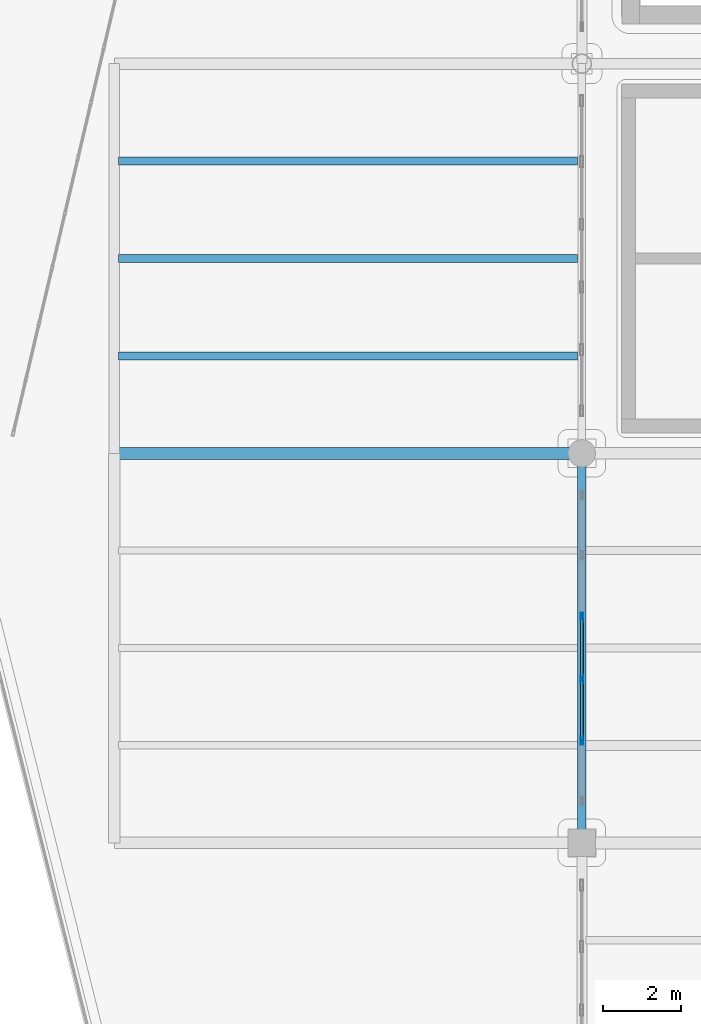
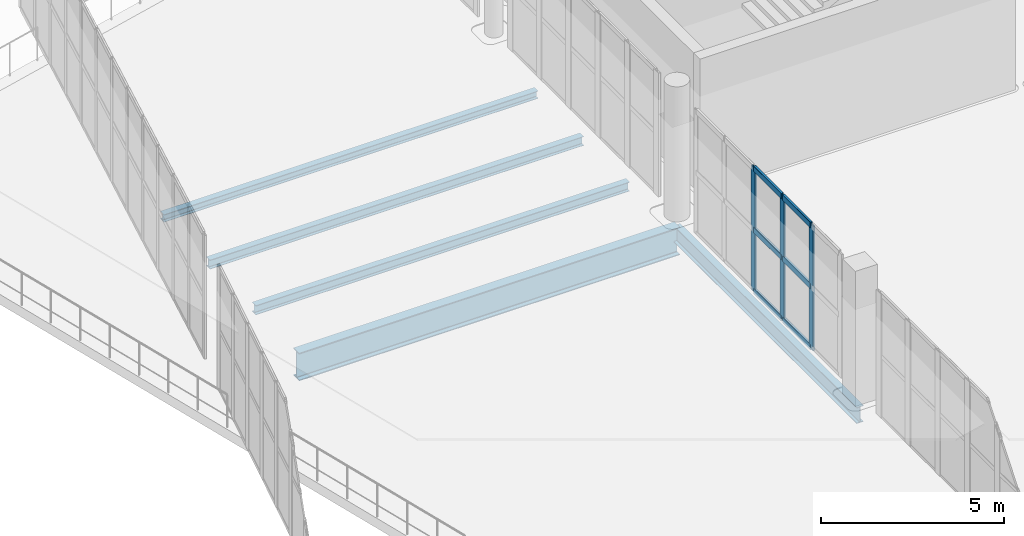
# One storey, part 36 of 108: 9 members, 5 beams, 1 element without a shape of its own.
"""IFC4 building model written with IfcOpenShell, lengths in metres."""

from ifc_helpers import new_model, si_unit, direction, frame, origin, origin_2d, place, context, subcontext, project, spatial, hollow_rectangle, i_section, extrude, material, layer, layer_set, material_profile, profile_set, type_object, element, aggregate, save


model = new_model("IFC4")

# Units and contexts
model_context = context("Model", 3, precision=1e-05, world=origin(), true_north=direction((0.0, 1.0)))
body_context = subcontext(model_context, "Body", "Model", "MODEL_VIEW")
ifc_project = project(units=[si_unit("LENGTHUNIT", "METRE"), si_unit("AREAUNIT", "SQUARE_METRE"), si_unit("VOLUMEUNIT", "CUBIC_METRE"), si_unit("PLANEANGLEUNIT", "RADIAN"), si_unit("MASSUNIT", "GRAM", prefix="KILO")], contexts=[model_context])

# Site, building, storey
site_placement = place(None, origin())
site = spatial("IfcSite", under=ifc_project, at=site_placement, CompositionType="ELEMENT")
building_placement = place(site_placement, origin())
building = spatial("IfcBuilding", under=site, at=building_placement, Name="Brinegate Civic Arena", CompositionType="ELEMENT")
storey_placement = place(building_placement, frame((0.0, 0.0, 10.199951171875)))
storey = spatial("IfcBuildingStorey", under=building, at=storey_placement, Name="L02", CompositionType="ELEMENT", Elevation=10.199951171875)

# Curtain wall, members
ifc_material_1 = material(Name="Marine grade aluminium", Category="aluminium")
ifc_layer = layer(ifc_material_1, 0.199951171875, Name="Marine grade aluminium")
ifc_layer_set = layer_set([ifc_layer], Name="Marine grade aluminium")
curtain_wall_type = type_object("IfcCurtainWallType", Name="CW-BOWL-GLAZED-01", PredefinedType="USERDEFINED", material=ifc_layer_set)
curtain_wall_placement = place(storey_placement, origin())
curtain_wall = element("IfcCurtainWall", 1, at=curtain_wall_placement, inside=storey, type_object=curtain_wall_type, Name="Curtain Wall CWA-085", ObjectType="GLAZED CURTAIN WALL", PredefinedType="USERDEFINED")
ifc_material_profile_1 = material_profile(ifc_material_1, hollow_rectangle(XDim=0.06494140625, YDim=0.219970703125, WallThickness=0.006103515625, InnerFilletRadius=0.00390625, OuterFilletRadius=0.008056640625, at=origin_2d()), Name="MUL65X220")
ifc_profile_set_1 = profile_set([ifc_material_profile_1], Name="Marine grade aluminium")
member_type_1 = type_object("IfcMemberType", Name="CW-MULLION-65X220", PredefinedType="MULLION", material=ifc_profile_set_1)
member_1_placement = place(storey_placement, frame((48.0, 64.626953125, 0.0), z_axis=(0.0, 0.0, 1.0), x_axis=(-1.0, 0.0, 0.0)))
member_1 = element("IfcMember", 2, at=member_1_placement, type_object=member_type_1, Name="CWA-085 mullion 2", PredefinedType="MULLION", context=body_context, shape_type="SweptSolid", body=[
    extrude(hollow_rectangle(XDim=0.06494140625, YDim=0.219970703125, WallThickness=0.006103515625, InnerFilletRadius=0.00390625, OuterFilletRadius=0.008056640625, at=origin_2d()), origin(), (0.0, 0.0, 1.0), 4.150146484375),
])
member_2_placement = place(storey_placement, frame((48.0, 66.208984375, 0.0), z_axis=(0.0, 0.0, 1.0), x_axis=(-1.0, 0.0, 0.0)))
member_2 = element("IfcMember", 3, at=member_2_placement, type_object=member_type_1, Name="CWA-085 mullion 3", PredefinedType="MULLION", context=body_context, shape_type="SweptSolid", body=[
    extrude(hollow_rectangle(XDim=0.06494140625, YDim=0.219970703125, WallThickness=0.006103515625, InnerFilletRadius=0.00390625, OuterFilletRadius=0.008056640625, at=origin_2d()), origin(), (0.0, 0.0, 1.0), 4.150146484375),
])
member_3_placement = place(storey_placement, frame((48.0, 67.791015625, 0.0), z_axis=(0.0, 0.0, 1.0), x_axis=(-1.0, 0.0, 0.0)))
member_3 = element("IfcMember", 4, at=member_3_placement, type_object=member_type_1, Name="CWA-085 mullion 4", PredefinedType="MULLION", context=body_context, shape_type="SweptSolid", body=[
    extrude(hollow_rectangle(XDim=0.06494140625, YDim=0.219970703125, WallThickness=0.006103515625, InnerFilletRadius=0.00390625, OuterFilletRadius=0.008056640625, at=origin_2d()), origin(), (0.0, 0.0, 1.0), 4.150146484375),
])
ifc_material_profile_2 = material_profile(ifc_material_1, hollow_rectangle(XDim=0.074951171875, YDim=0.18994140625, WallThickness=0.006103515625, InnerFilletRadius=0.00390625, OuterFilletRadius=0.008056640625, at=origin_2d()), Name="TRN75X190")
ifc_profile_set_2 = profile_set([ifc_material_profile_2], Name="Marine grade aluminium")
member_type_2 = type_object("IfcMemberType", Name="CW-TRANSOM-75X190", PredefinedType="USERDEFINED", material=ifc_profile_set_2)
member_4_placement = place(storey_placement, frame((48.0, 64.659423828125, 0.03759765625), z_axis=(0.0, 1.0, 0.0), x_axis=(-1.0, 0.0, 0.0)))
member_4 = element("IfcMember", 5, at=member_4_placement, type_object=member_type_2, Name="CWA-085 transom 2.1", ObjectType="TRANSOM", PredefinedType="USERDEFINED", context=body_context, shape_type="SweptSolid", body=[
    extrude(hollow_rectangle(XDim=0.074951171875, YDim=0.18994140625, WallThickness=0.006103515625, InnerFilletRadius=0.00390625, OuterFilletRadius=0.008056640625, at=origin_2d()), origin(), (0.0, 0.0, 1.0), 1.51708984375),
])
member_5_placement = place(storey_placement, frame((48.0, 64.659423828125, 2.074951171875), z_axis=(0.0, 1.0, 0.0), x_axis=(-1.0, 0.0, 0.0)))
member_5 = element("IfcMember", 6, at=member_5_placement, type_object=member_type_2, Name="CWA-085 transom 2.2", ObjectType="TRANSOM", PredefinedType="USERDEFINED", context=body_context, shape_type="SweptSolid", body=[
    extrude(hollow_rectangle(XDim=0.074951171875, YDim=0.18994140625, WallThickness=0.006103515625, InnerFilletRadius=0.00390625, OuterFilletRadius=0.008056640625, at=origin_2d()), origin(), (0.0, 0.0, 1.0), 1.51708984375),
])
member_6_placement = place(storey_placement, frame((48.0, 64.659423828125, 4.112548828125), z_axis=(0.0, 1.0, 0.0), x_axis=(-1.0, 0.0, 0.0)))
member_6 = element("IfcMember", 7, at=member_6_placement, type_object=member_type_2, Name="CWA-085 transom 2.3", ObjectType="TRANSOM", PredefinedType="USERDEFINED", context=body_context, shape_type="SweptSolid", body=[
    extrude(hollow_rectangle(XDim=0.074951171875, YDim=0.18994140625, WallThickness=0.006103515625, InnerFilletRadius=0.00390625, OuterFilletRadius=0.008056640625, at=origin_2d()), origin(), (0.0, 0.0, 1.0), 1.51708984375),
])
member_7_placement = place(storey_placement, frame((48.0, 66.241455078125, 0.03759765625), z_axis=(0.0, 1.0, 0.0), x_axis=(-1.0, 0.0, 0.0)))
member_7 = element("IfcMember", 8, at=member_7_placement, type_object=member_type_2, Name="CWA-085 transom 3.1", ObjectType="TRANSOM", PredefinedType="USERDEFINED", context=body_context, shape_type="SweptSolid", body=[
    extrude(hollow_rectangle(XDim=0.074951171875, YDim=0.18994140625, WallThickness=0.006103515625, InnerFilletRadius=0.00390625, OuterFilletRadius=0.008056640625, at=origin_2d()), origin(), (0.0, 0.0, 1.0), 1.51708984375),
])
member_8_placement = place(storey_placement, frame((48.0, 66.241455078125, 2.074951171875), z_axis=(0.0, 1.0, 0.0), x_axis=(-1.0, 0.0, 0.0)))
member_8 = element("IfcMember", 9, at=member_8_placement, type_object=member_type_2, Name="CWA-085 transom 3.2", ObjectType="TRANSOM", PredefinedType="USERDEFINED", context=body_context, shape_type="SweptSolid", body=[
    extrude(hollow_rectangle(XDim=0.074951171875, YDim=0.18994140625, WallThickness=0.006103515625, InnerFilletRadius=0.00390625, OuterFilletRadius=0.008056640625, at=origin_2d()), origin(), (0.0, 0.0, 1.0), 1.51708984375),
])
member_9_placement = place(storey_placement, frame((48.0, 66.241455078125, 4.112548828125), z_axis=(0.0, 1.0, 0.0), x_axis=(-1.0, 0.0, 0.0)))
member_9 = element("IfcMember", 10, at=member_9_placement, type_object=member_type_2, Name="CWA-085 transom 3.3", ObjectType="TRANSOM", PredefinedType="USERDEFINED", context=body_context, shape_type="SweptSolid", body=[
    extrude(hollow_rectangle(XDim=0.074951171875, YDim=0.18994140625, WallThickness=0.006103515625, InnerFilletRadius=0.00390625, OuterFilletRadius=0.008056640625, at=origin_2d()), origin(), (0.0, 0.0, 1.0), 1.51708984375),
])
aggregate(curtain_wall, [member_1, member_2, member_3, member_4, member_5, member_6, member_7, member_8, member_9])

# Beams
ifc_material_2 = material(Name="Steel S355", Category="steel")
ifc_material_profile_3 = material_profile(ifc_material_2, i_section(OverallWidth=0.30810546875, OverallDepth=0.927001953125, WebThickness=0.01904296875, FlangeThickness=0.031982421875, FilletRadius=0.02392578125, at=origin_2d()), Name="W920X289")
ifc_profile_set_3 = profile_set([ifc_material_profile_3], Name="Steel S355")
beam_type_1 = type_object("IfcBeamType", Name="GIRDER-W920X289", PredefinedType="BEAM", material=ifc_profile_set_3)
beam_1_placement = place(storey_placement, frame((36.0, 72.0, -0.79296875), z_axis=(1.0, 0.0, 0.0), x_axis=(0.0, 1.0, 0.0)))
element("IfcBeam", 11, at=beam_1_placement, inside=storey, type_object=beam_type_1, Name="Floor Girder BM-L02-GX-03-07", PredefinedType="BEAM", context=body_context, shape_type="SweptSolid", body=[
    extrude(i_section(OverallWidth=0.30810546875, OverallDepth=0.927001953125, WebThickness=0.01904296875, FlangeThickness=0.031982421875, FilletRadius=0.02392578125, at=origin_2d()), origin(), (0.0, 0.0, 1.0), 12.0),
])
ifc_material_profile_4 = material_profile(ifc_material_2, i_section(OverallWidth=0.202880859375, OverallDepth=0.251953125, WebThickness=0.008056640625, FlangeThickness=0.013916015625, FilletRadius=0.011962890625, at=origin_2d()), Name="W250X58")
ifc_profile_set_4 = profile_set([ifc_material_profile_4], Name="Steel S355")
beam_type_2 = type_object("IfcBeamType", Name="JOIST-W250X58", PredefinedType="JOIST", material=ifc_profile_set_4)
beam_2_placement = place(storey_placement, frame((36.10595703125, 79.5, -0.4560546875), z_axis=(1.0, 0.0, 0.0), x_axis=(0.0, 1.0, 0.0)))
element("IfcBeam", 12, at=beam_2_placement, inside=storey, type_object=beam_type_2, Name="Secondary Joist BM-L02-JX-03-07-3", PredefinedType="JOIST", context=body_context, shape_type="SweptSolid", body=[
    extrude(i_section(OverallWidth=0.202880859375, OverallDepth=0.251953125, WebThickness=0.008056640625, FlangeThickness=0.013916015625, FilletRadius=0.011962890625, at=origin_2d()), origin(), (0.0, 0.0, 1.0), 11.7880859375),
])
ifc_material_profile_5 = material_profile(ifc_material_2, i_section(OverallWidth=0.202880859375, OverallDepth=0.302978515625, WebThickness=0.008056640625, FlangeThickness=0.012939453125, FilletRadius=0.012939453125, at=origin_2d()), Name="W310X60")
ifc_profile_set_5 = profile_set([ifc_material_profile_5], Name="Steel S355")
beam_type_3 = type_object("IfcBeamType", Name="JOIST-W310X60", PredefinedType="JOIST", material=ifc_profile_set_5)
beam_3_placement = place(storey_placement, frame((36.10595703125, 77.0, -0.48095703125), z_axis=(1.0, 0.0, 0.0), x_axis=(0.0, 1.0, 0.0)))
element("IfcBeam", 13, at=beam_3_placement, inside=storey, type_object=beam_type_3, Name="Secondary Joist BM-L02-JX-03-07-2", PredefinedType="JOIST", context=body_context, shape_type="SweptSolid", body=[
    extrude(i_section(OverallWidth=0.202880859375, OverallDepth=0.302978515625, WebThickness=0.008056640625, FlangeThickness=0.012939453125, FilletRadius=0.012939453125, at=origin_2d()), origin(), (0.0, 0.0, 1.0), 11.7880859375),
])
ifc_material_profile_6 = material_profile(ifc_material_2, i_section(OverallWidth=0.205078125, OverallDepth=0.31005859375, WebThickness=0.009033203125, FlangeThickness=0.01611328125, FilletRadius=0.012939453125, at=origin_2d()), Name="W310X74")
ifc_profile_set_6 = profile_set([ifc_material_profile_6], Name="Steel S355")
beam_type_4 = type_object("IfcBeamType", Name="JOIST-W310X74", PredefinedType="JOIST", material=ifc_profile_set_6)
beam_4_placement = place(storey_placement, frame((36.10595703125, 74.5, -0.48486328125), z_axis=(1.0, 0.0, 0.0), x_axis=(0.0, 1.0, 0.0)))
element("IfcBeam", 14, at=beam_4_placement, inside=storey, type_object=beam_type_4, Name="Secondary Joist BM-L02-JX-03-07-1", PredefinedType="JOIST", context=body_context, shape_type="SweptSolid", body=[
    extrude(i_section(OverallWidth=0.205078125, OverallDepth=0.31005859375, WebThickness=0.009033203125, FlangeThickness=0.01611328125, FilletRadius=0.012939453125, at=origin_2d()), origin(), (0.0, 0.0, 1.0), 11.7880859375),
])
ifc_material_profile_7 = material_profile(ifc_material_2, i_section(OverallWidth=0.2119140625, OverallDepth=0.5439453125, WebThickness=0.012939453125, FlangeThickness=0.02099609375, FilletRadius=0.01611328125, at=origin_2d()), Name="W530X123")
ifc_profile_set_7 = profile_set([ifc_material_profile_7], Name="Steel S355")
beam_type_5 = type_object("IfcBeamType", Name="SPANDREL-W530X123", PredefinedType="SPANDREL", material=ifc_profile_set_7)
beam_5_placement = place(storey_placement, frame((48.0, 62.0, -0.60205078125), z_axis=(0.0, 1.0, 0.0), x_axis=(-1.0, 0.0, 0.0)))
element("IfcBeam", 15, at=beam_5_placement, inside=storey, type_object=beam_type_5, Name="Floor Girder BM-L02-GY-04-06", PredefinedType="SPANDREL", context=body_context, shape_type="SweptSolid", body=[
    extrude(i_section(OverallWidth=0.2119140625, OverallDepth=0.5439453125, WebThickness=0.012939453125, FlangeThickness=0.02099609375, FilletRadius=0.01611328125, at=origin_2d()), origin(), (0.0, 0.0, 1.0), 10.0),
])

save(model, "model.ifc")
